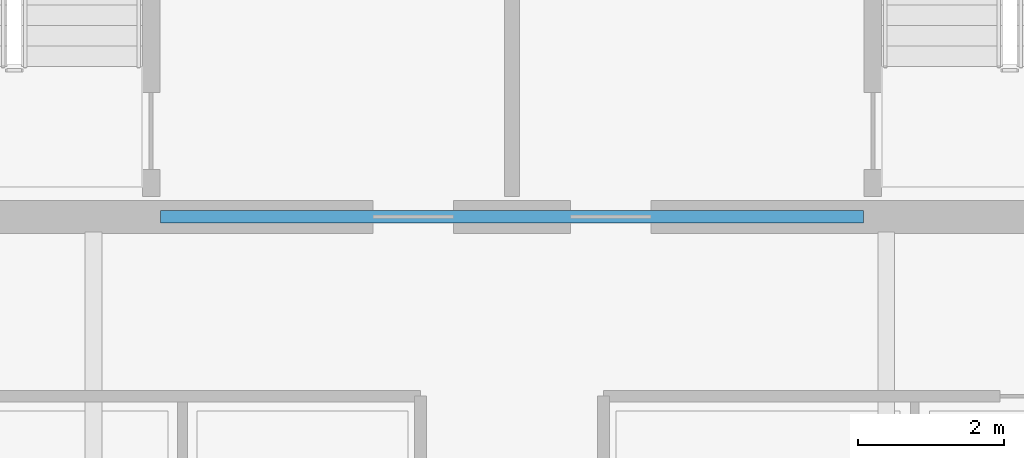
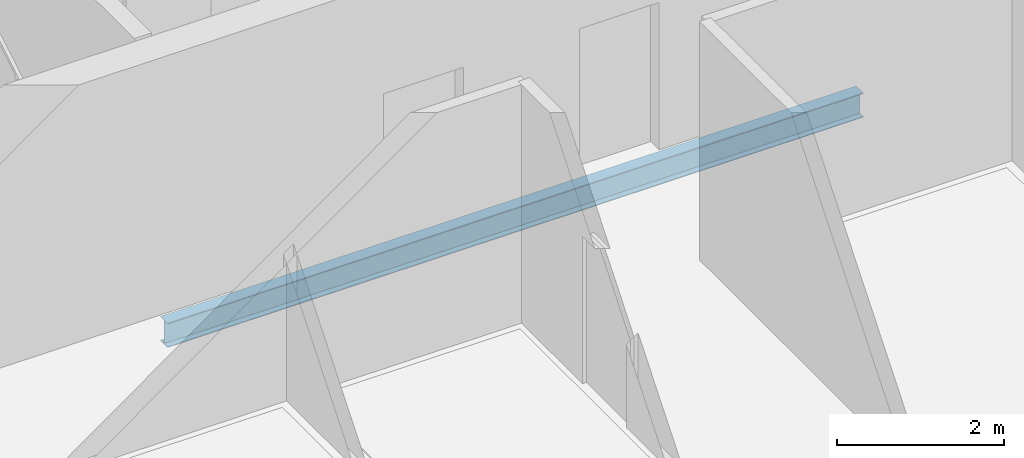
# One storey, part 7 of 26: 1 beam.
"""IFC4 building model written with IfcOpenShell, lengths in metres."""

from ifc_helpers import new_model, si_unit, direction, frame, origin, origin_2d, place, context, subcontext, project, spatial, i_section, extrude, material, material_profile, profile_set, type_object, element, save


model = new_model("IFC4")

# Units and contexts
model_context = context("Model", 3, precision=1e-05, world=origin(), true_north=direction((0.0, 1.0)))
body_context = subcontext(model_context, "Body", "Model", "MODEL_VIEW")
ifc_project = project(units=[si_unit("LENGTHUNIT", "METRE"), si_unit("AREAUNIT", "SQUARE_METRE"), si_unit("VOLUMEUNIT", "CUBIC_METRE"), si_unit("PLANEANGLEUNIT", "RADIAN"), si_unit("MASSUNIT", "GRAM", prefix="KILO")], contexts=[model_context])

# Site, building, storey
site_placement = place(None, origin())
site = spatial("IfcSite", under=ifc_project, at=site_placement, CompositionType="ELEMENT")
building_placement = place(site_placement, origin())
building = spatial("IfcBuilding", under=site, at=building_placement, Name="Haldenkirk Collegiate Tower", CompositionType="ELEMENT")
storey_placement = place(building_placement, frame((0.0, 0.0, 274.949951171875)))
storey = spatial("IfcBuildingStorey", under=building, at=storey_placement, Name="L69", CompositionType="ELEMENT", Elevation=274.949951171875)

# Beam
ifc_material = material(Name="Steel ASTM A992 Grade 50", Category="steel")
ifc_material_profile = material_profile(ifc_material, i_section(OverallWidth=0.1708984375, OverallDepth=0.35595703125, WebThickness=0.007080078125, FlangeThickness=0.01171875, at=origin_2d()), Name="W14X34")
ifc_profile_set = profile_set([ifc_material_profile], Name="Steel ASTM A992 Grade 50")
beam_type = type_object("IfcBeamType", Name="BM-LINTEL-W14X34", PredefinedType="LINTEL", material=ifc_profile_set)
beam_placement = place(storey_placement, frame((31.199951171875, 18.0, -0.447998046875), z_axis=(1.0, 0.0, 0.0), x_axis=(0.0, 1.0, 0.0)))
element("IfcBeam", 1, at=beam_placement, inside=storey, type_object=beam_type, Name="L69 south core coupling lintel", PredefinedType="LINTEL", context=body_context, shape_type="SweptSolid", body=[
    extrude(i_section(OverallWidth=0.1708984375, OverallDepth=0.35595703125, WebThickness=0.007080078125, FlangeThickness=0.01171875, at=origin_2d()), origin(), (0.0, 0.0, 1.0), 9.60009765625),
])

save(model, "model.ifc")
